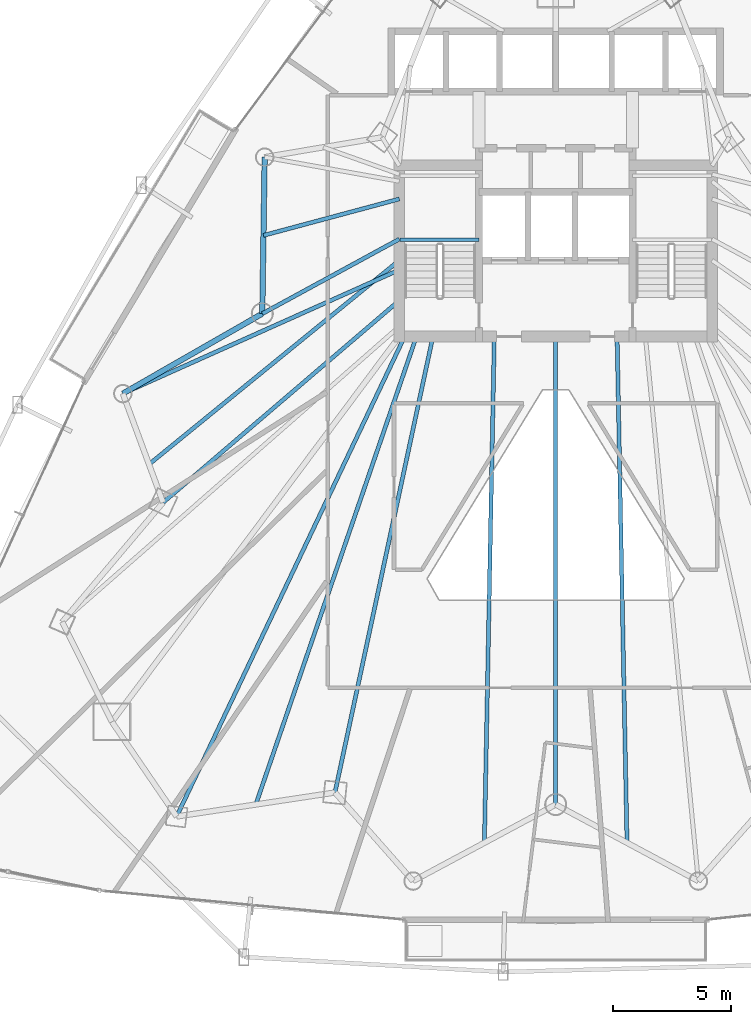
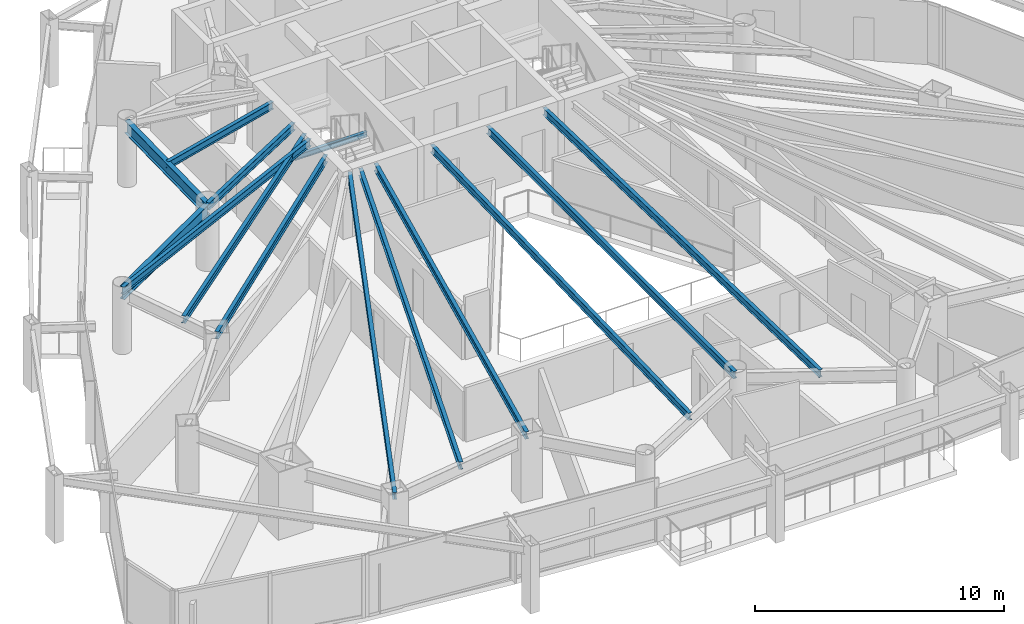
# One storey, part 11 of 34: 14 beams.
"""IFC4 building model written with IfcOpenShell, lengths in metres."""

from ifc_helpers import new_model, si_unit, direction, frame, origin, origin_2d, place, context, subcontext, project, spatial, i_section, extrude, material, material_profile, profile_set, type_object, element, save


model = new_model("IFC4")

# Units and contexts
model_context = context("Model", 3, precision=1e-05, world=origin(), true_north=direction((0.0, 1.0)))
body_context = subcontext(model_context, "Body", "Model", "MODEL_VIEW")
ifc_project = project(units=[si_unit("LENGTHUNIT", "METRE"), si_unit("AREAUNIT", "SQUARE_METRE"), si_unit("VOLUMEUNIT", "CUBIC_METRE"), si_unit("PLANEANGLEUNIT", "RADIAN"), si_unit("MASSUNIT", "GRAM", prefix="KILO")], contexts=[model_context])

# Site, building, storey
site_placement = place(None, origin())
site = spatial("IfcSite", under=ifc_project, at=site_placement, CompositionType="ELEMENT")
building_placement = place(site_placement, origin())
building = spatial("IfcBuilding", under=site, at=building_placement, Name="Orvanel Arch Residences", CompositionType="ELEMENT")
storey_placement = place(building_placement, frame((0.0, 0.0, 64.25)))
storey = spatial("IfcBuildingStorey", under=building, at=storey_placement, Name="L17", CompositionType="ELEMENT", Elevation=64.25)

# Beams
ifc_material = material(Name="Structural steel AS/NZS 3679.1 Grade 300 (300 MPa)", Category="steel")
ifc_material_profile_1 = material_profile(ifc_material, i_section(OverallWidth=0.14599609375, OverallDepth=0.251953125, WebThickness=0.006103515625, FlangeThickness=0.008544921875, at=origin_2d()), Name="250UB31.4")
ifc_profile_set_1 = profile_set([ifc_material_profile_1], Name="Structural steel AS/NZS 3679.1 Grade 300 (300 MPa)")
beam_type_1 = type_object("IfcBeamType", Name="BJ-250UB", PredefinedType="JOIST", material=ifc_profile_set_1)
beam_1_placement = place(storey_placement, frame((26.39990234375, 30.780029296875, 1.323974609375), z_axis=(1.0, 0.0, 0.0), x_axis=(0.0, 1.0, 0.0)))
element("IfcBeam", 1, at=beam_1_placement, inside=storey, type_object=beam_type_1, Name="L17 ST-1 Half-Landing Support Beam 1.1", PredefinedType="JOIST", context=body_context, shape_type="SweptSolid", body=[
    extrude(i_section(OverallWidth=0.14599609375, OverallDepth=0.251953125, WebThickness=0.006103515625, FlangeThickness=0.008544921875, at=origin_2d()), origin(), (0.0, 0.0, 1.0), 3.35009765625),
])
ifc_material_profile_2 = material_profile(ifc_material, i_section(OverallWidth=0.1708984375, OverallDepth=0.35595703125, WebThickness=0.00732421875, FlangeThickness=0.011474609375, at=origin_2d()), Name="360UB50.7")
ifc_profile_set_2 = profile_set([ifc_material_profile_2], Name="Structural steel AS/NZS 3679.1 Grade 300 (300 MPa)")
beam_type_2 = type_object("IfcBeamType", Name="BJ-360UB", PredefinedType="JOIST", material=ifc_profile_set_2)
beam_2_placement = place(storey_placement, frame((26.375, 30.800048828125, 2.882080078125), z_axis=(-0.878399029914, -0.477927969726, 0.0), x_axis=(0.477927969726, -0.878399029914, 0.0)))
element("IfcBeam", 2, at=beam_2_placement, inside=storey, type_object=beam_type_2, Name="L17 NW Wing Floor Joist", PredefinedType="JOIST", context=body_context, shape_type="SweptSolid", body=[
    extrude(i_section(OverallWidth=0.1708984375, OverallDepth=0.35595703125, WebThickness=0.00732421875, FlangeThickness=0.011474609375, at=origin_2d()), origin(), (0.0, 0.0, 1.0), 6.609619140625),
])
beam_3_placement = place(storey_placement, frame((26.375, 28.199951171875, 2.882080078125), z_axis=(-0.760024297953, -0.649894658018, 0.0), x_axis=(0.649894658018, -0.760024297953, 0.0)))
element("IfcBeam", 3, at=beam_3_placement, inside=storey, type_object=beam_type_2, Name="L17 W Wing Floor Joist", PredefinedType="JOIST", context=body_context, shape_type="SweptSolid", body=[
    extrude(i_section(OverallWidth=0.1708984375, OverallDepth=0.35595703125, WebThickness=0.00732421875, FlangeThickness=0.011474609375, at=origin_2d()), origin(), (0.0, 0.0, 1.0), 13.16796875),
])
beam_4_placement = place(storey_placement, frame((27.800048828125, 26.675048828125, 2.882080078125), z_axis=(-0.210066515515, -0.977687096703, 0.0), x_axis=(0.977687096703, -0.210066515515, 0.0)))
element("IfcBeam", 4, at=beam_4_placement, inside=storey, type_object=beam_type_2, Name="L17 SW Wing Floor Joist", PredefinedType="JOIST", context=body_context, shape_type="SweptSolid", body=[
    extrude(i_section(OverallWidth=0.1708984375, OverallDepth=0.35595703125, WebThickness=0.00732421875, FlangeThickness=0.011474609375, at=origin_2d()), origin(), (0.0, 0.0, 1.0), 19.760986328125),
])
beam_5_placement = place(storey_placement, frame((33.0, 26.675048828125, 2.882080078125), z_axis=(0.0, -1.0, 0.0), x_axis=(1.0, 0.0, 0.0)))
element("IfcBeam", 5, at=beam_5_placement, inside=storey, type_object=beam_type_2, Name="L17 SSW Wing Floor Joist", PredefinedType="JOIST", context=body_context, shape_type="SweptSolid", body=[
    extrude(i_section(OverallWidth=0.1708984375, OverallDepth=0.35595703125, WebThickness=0.00732421875, FlangeThickness=0.011474609375, at=origin_2d()), origin(), (0.0, 0.0, 1.0), 19.8310546875),
])
beam_6_placement = place(storey_placement, frame((26.375, 32.5, 2.882080078125), z_axis=(-0.965844838168, -0.259121107949, 0.0), x_axis=(0.259121107949, -0.965844838168, 0.0)))
element("IfcBeam", 6, at=beam_6_placement, inside=storey, type_object=beam_type_2, Name="L17 WNW Wing Floor Joist", PredefinedType="JOIST", context=body_context, shape_type="SweptSolid", body=[
    extrude(i_section(OverallWidth=0.1708984375, OverallDepth=0.35595703125, WebThickness=0.00732421875, FlangeThickness=0.011474609375, at=origin_2d()), origin(), (0.0, 0.0, 1.0), 5.95849609375),
])
for number, where, z_axis, x_axis, name in (
    (7, (30.39990234375, 26.675048828125, 2.882080078125), (-0.019617680075, -0.999807554797, 0.0), (0.999807554797, -0.019617680075, 0.0), "L17 WSW2 Wing Floor Joist"),
    (8, (35.60009765625, 26.675048828125, 2.882080078125), (0.019617680075, -0.999807554797, 0.0), (0.999807554797, 0.019617680075, 0.0), "L17 ESE2 Wing Floor Joist"),
):
    element("IfcBeam", number, at=place(storey_placement, frame(where, z_axis=z_axis, x_axis=x_axis)), inside=storey, type_object=beam_type_2, Name=name, PredefinedType="JOIST", context=body_context, shape_type="SweptSolid", body=[
        extrude(i_section(OverallWidth=0.1708984375, OverallDepth=0.35595703125, WebThickness=0.00732421875, FlangeThickness=0.011474609375, at=origin_2d()), origin(), (0.0, 0.0, 1.0), 21.455078125),
    ])
beam_7_placement = place(storey_placement, frame((26.60009765625, 26.675048828125, 2.882080078125), z_axis=(-0.429042657795, -0.903284228686, 0.0), x_axis=(0.903284228686, -0.429042657795, 0.0)))
element("IfcBeam", 9, at=beam_7_placement, inside=storey, type_object=beam_type_2, Name="L17 MSW Wing Floor Joist", PredefinedType="JOIST", context=body_context, shape_type="SweptSolid", body=[
    extrude(i_section(OverallWidth=0.1708984375, OverallDepth=0.35595703125, WebThickness=0.00732421875, FlangeThickness=0.011474609375, at=origin_2d()), origin(), (0.0, 0.0, 1.0), 22.513427734375),
])
beam_8_placement = place(storey_placement, frame((26.375, 29.5, 2.882080078125), z_axis=(-0.912704378681, -0.408620505038, 0.0), x_axis=(0.408620505038, -0.912704378681, 0.0)))
element("IfcBeam", 10, at=beam_8_placement, inside=storey, type_object=beam_type_2, Name="L17 LSW Wing Floor Joist", PredefinedType="JOIST", context=body_context, shape_type="SweptSolid", body=[
    extrude(i_section(OverallWidth=0.1708984375, OverallDepth=0.35595703125, WebThickness=0.00732421875, FlangeThickness=0.011474609375, at=origin_2d()), origin(), (0.0, 0.0, 1.0), 12.833251953125),
])
beam_9_placement = place(storey_placement, frame((26.375, 29.89990234375, 2.882080078125), z_axis=(-0.775173162495, -0.631748817291, 0.0), x_axis=(0.631748817291, -0.775173162495, 0.0)))
element("IfcBeam", 11, at=beam_9_placement, inside=storey, type_object=beam_type_2, Name="L17 CTW Wing Floor Joist", PredefinedType="JOIST", context=body_context, shape_type="SweptSolid", body=[
    extrude(i_section(OverallWidth=0.1708984375, OverallDepth=0.35595703125, WebThickness=0.00732421875, FlangeThickness=0.011474609375, at=origin_2d()), origin(), (0.0, 0.0, 1.0), 13.680908203125),
])
beam_10_placement = place(storey_placement, frame((27.10009765625, 26.675048828125, 2.882080078125), z_axis=(-0.324621456495, -0.945844019901, 0.0), x_axis=(0.945844019901, -0.324621456495, 0.0)))
element("IfcBeam", 12, at=beam_10_placement, inside=storey, type_object=beam_type_2, Name="L17 JADD1 Wing Floor Joist", PredefinedType="JOIST", context=body_context, shape_type="SweptSolid", body=[
    extrude(i_section(OverallWidth=0.1708984375, OverallDepth=0.35595703125, WebThickness=0.00732421875, FlangeThickness=0.011474609375, at=origin_2d()), origin(), (0.0, 0.0, 1.0), 20.96337890625),
])
ifc_material_profile_3 = material_profile(ifc_material, i_section(OverallWidth=0.22900390625, OverallDepth=0.612060546875, WebThickness=0.011962890625, FlangeThickness=0.01953125, at=origin_2d()), Name="610UB125")
ifc_profile_set_3 = profile_set([ifc_material_profile_3], Name="Structural steel AS/NZS 3679.1 Grade 300 (300 MPa)")
beam_type_3 = type_object("IfcBeamType", Name="SP-610UB", PredefinedType="SPANDREL", material=ifc_profile_set_3)
beam_11_placement = place(storey_placement, frame((20.669921875, 34.27099609375, 2.75390625), z_axis=(-0.015206666874, -0.999884371956, 0.0), x_axis=(0.999884371956, -0.015206666874, 0.0)))
element("IfcBeam", 13, at=beam_11_placement, inside=storey, type_object=beam_type_3, Name="L17 Perimeter Spandrel Beam 20", PredefinedType="SPANDREL", context=body_context, shape_type="SweptSolid", body=[
    extrude(i_section(OverallWidth=0.22900390625, OverallDepth=0.612060546875, WebThickness=0.011962890625, FlangeThickness=0.01953125, at=origin_2d()), origin(), (0.0, 0.0, 1.0), 6.630615234375),
])
beam_12_placement = place(storey_placement, frame((20.569091796875, 27.64111328125, 2.75390625), z_axis=(-0.867635629025, -0.497200578485, 0.0), x_axis=(0.497200578485, -0.867635629025, 0.0)))
element("IfcBeam", 14, at=beam_12_placement, inside=storey, type_object=beam_type_3, Name="L17 Perimeter Spandrel Beam 21", PredefinedType="SPANDREL", context=body_context, shape_type="SweptSolid", body=[
    extrude(i_section(OverallWidth=0.22900390625, OverallDepth=0.612060546875, WebThickness=0.011962890625, FlangeThickness=0.01953125, at=origin_2d()), origin(), (0.0, 0.0, 1.0), 6.80810546875),
])

save(model, "model.ifc")
